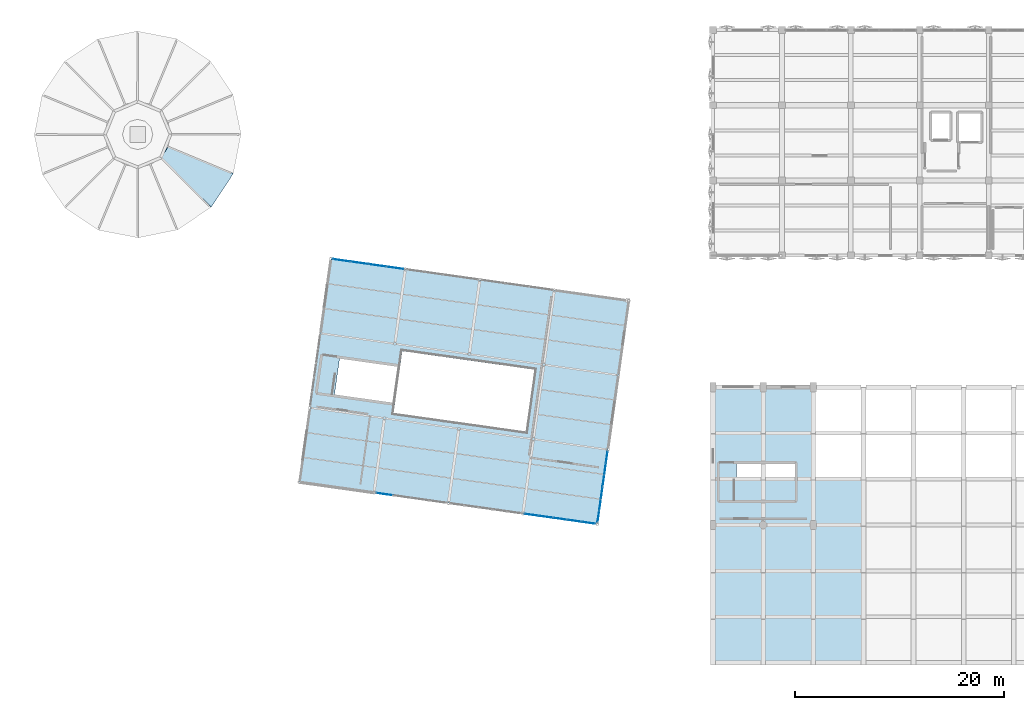
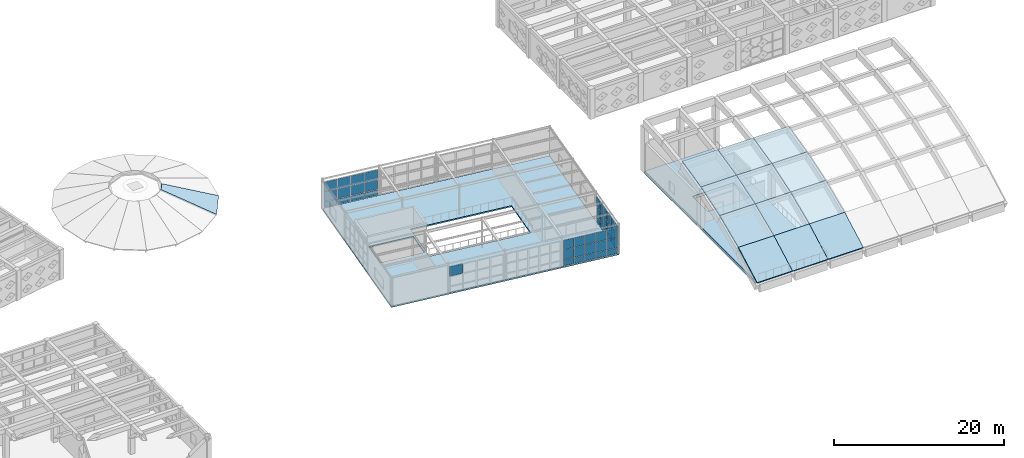
# One storey, part 45 of 67: 46 plates, 15 slabs, 4 elements without a shape of their own.
"""IFC4 building model written with IfcOpenShell, lengths in metres."""

from ifc_helpers import new_model, si_unit, direction, frame, origin, origin_2d, place, context, subcontext, project, spatial, polyline, rectangle, outline, extrude, material, layer, layer_set, type_object, element, aggregate, save


model = new_model("IFC4")

# Units and contexts
model_context = context("Model", 3, precision=1e-05, world=origin(), true_north=direction((0.0, 1.0)))
body_context = subcontext(model_context, "Body", "Model", "MODEL_VIEW")
ifc_project = project(units=[si_unit("LENGTHUNIT", "METRE"), si_unit("AREAUNIT", "SQUARE_METRE"), si_unit("VOLUMEUNIT", "CUBIC_METRE"), si_unit("PLANEANGLEUNIT", "RADIAN"), si_unit("MASSUNIT", "GRAM", prefix="KILO")], contexts=[model_context])

# Site, building, storey
site_placement = place(None, origin())
site = spatial("IfcSite", under=ifc_project, at=site_placement, CompositionType="ELEMENT")
building_placement = place(site_placement, origin())
building = spatial("IfcBuilding", under=site, at=building_placement, Name="Kharisveld Research Institute", CompositionType="ELEMENT")
storey_placement = place(building_placement, frame((0.0, 0.0, 9.60009765625)))
storey = spatial("IfcBuildingStorey", under=building, at=storey_placement, Name="L02", CompositionType="ELEMENT", Elevation=9.60009765625)

# Curtain wall, plates
ifc_material_1 = material(Name="Thermally Broken Aluminium Curtain Wall", Category="aluminium")
ifc_layer_1 = layer(ifc_material_1, 0.159912109375)
ifc_layer_set_1 = layer_set([ifc_layer_1], Name="CW_SYS_04")
curtain_wall_type_1 = type_object("IfcCurtainWallType", Name="CW_SYS_04", PredefinedType="NOTDEFINED", material=ifc_layer_set_1)
curtain_wall_1_placement = place(storey_placement, origin())
curtain_wall_1 = element("IfcCurtainWall", 1, at=curtain_wall_1_placement, inside=storey, type_object=curtain_wall_type_1, Name="CW:V4:L02:N0", PredefinedType="NOTDEFINED")
ifc_material_2 = material(Name="Low-E Double Glazing", Category="glass")
ifc_layer_2 = layer(ifc_material_2, 0.028076171875)
ifc_layer_set_2 = layer_set([ifc_layer_2], Name="CW_PNL_GLZ")
plate_type = type_object("IfcPlateType", Name="CW_PNL_GLZ", PredefinedType="CURTAIN_PANEL", material=ifc_layer_set_2)
plate_1_placement = place(storey_placement, frame((79.012451171875, 38.748291015625, 0.06494140625), z_axis=(0.0, 0.0, 1.0), x_axis=(0.990268065931, -0.139173120957, 0.0)))
plate_1 = element("IfcPlate", 2, at=plate_1_placement, type_object=plate_type, Name="CW-04 panel 1.1", PredefinedType="CURTAIN_PANEL", context=body_context, shape_type="SweptSolid", body=[
    extrude(rectangle(XDim=1.629150390625, YDim=0.028076171875, at=origin_2d()), origin(), (0.0, 0.0, 1.0), 0.802490234375),
])
plate_2_placement = place(storey_placement, frame((79.012451171875, 38.748291015625, 0.9326171875), z_axis=(0.0, 0.0, 1.0), x_axis=(0.990268065931, -0.139173120957, 0.0)))
plate_2 = element("IfcPlate", 3, at=plate_2_placement, type_object=plate_type, Name="CW-04 panel 1.2", PredefinedType="CURTAIN_PANEL", context=body_context, shape_type="SweptSolid", body=[
    extrude(rectangle(XDim=1.629150390625, YDim=0.028076171875, at=origin_2d()), origin(), (0.0, 0.0, 1.0), 1.385009765625),
])
plate_3_placement = place(storey_placement, frame((79.012451171875, 38.748291015625, 2.38232421875), z_axis=(0.0, 0.0, 1.0), x_axis=(0.990268065931, -0.139173120957, 0.0)))
plate_3 = element("IfcPlate", 4, at=plate_3_placement, type_object=plate_type, Name="CW-04 panel 1.3", PredefinedType="CURTAIN_PANEL", context=body_context, shape_type="SweptSolid", body=[
    extrude(rectangle(XDim=1.629150390625, YDim=0.028076171875, at=origin_2d()), origin(), (0.0, 0.0, 1.0), 1.33251953125),
])
plate_4_placement = place(storey_placement, frame((80.71240234375, 38.509521484375, 0.06494140625), z_axis=(0.0, 0.0, 1.0), x_axis=(0.990268065931, -0.139173120957, 0.0)))
plate_4 = element("IfcPlate", 5, at=plate_4_placement, type_object=plate_type, Name="CW-04 panel 2.1", PredefinedType="CURTAIN_PANEL", context=body_context, shape_type="SweptSolid", body=[
    extrude(rectangle(XDim=1.664306640625, YDim=0.028076171875, at=origin_2d()), origin(), (0.0, 0.0, 1.0), 0.802490234375),
])
plate_5_placement = place(storey_placement, frame((80.71240234375, 38.509521484375, 0.9326171875), z_axis=(0.0, 0.0, 1.0), x_axis=(0.990268065931, -0.139173120957, 0.0)))
plate_5 = element("IfcPlate", 6, at=plate_5_placement, type_object=plate_type, Name="CW-04 panel 2.2", PredefinedType="CURTAIN_PANEL", context=body_context, shape_type="SweptSolid", body=[
    extrude(rectangle(XDim=1.664306640625, YDim=0.028076171875, at=origin_2d()), origin(), (0.0, 0.0, 1.0), 1.385009765625),
])
plate_6_placement = place(storey_placement, frame((80.71240234375, 38.509521484375, 2.38232421875), z_axis=(0.0, 0.0, 1.0), x_axis=(0.990268065931, -0.139173120957, 0.0)))
plate_6 = element("IfcPlate", 7, at=plate_6_placement, type_object=plate_type, Name="CW-04 panel 2.3", PredefinedType="CURTAIN_PANEL", context=body_context, shape_type="SweptSolid", body=[
    extrude(rectangle(XDim=1.664306640625, YDim=0.028076171875, at=origin_2d()), origin(), (0.0, 0.0, 1.0), 1.33251953125),
])
plate_7_placement = place(storey_placement, frame((82.4296875, 38.26806640625, 0.06494140625), z_axis=(0.0, 0.0, 1.0), x_axis=(0.990268065931, -0.139173120957, 0.0)))
plate_7 = element("IfcPlate", 8, at=plate_7_placement, type_object=plate_type, Name="CW-04 panel 3.1", PredefinedType="CURTAIN_PANEL", context=body_context, shape_type="SweptSolid", body=[
    extrude(rectangle(XDim=1.664306640625, YDim=0.028076171875, at=origin_2d()), origin(), (0.0, 0.0, 1.0), 0.802490234375),
])
plate_8_placement = place(storey_placement, frame((82.4296875, 38.26806640625, 0.9326171875), z_axis=(0.0, 0.0, 1.0), x_axis=(0.990268065931, -0.139173120957, 0.0)))
plate_8 = element("IfcPlate", 9, at=plate_8_placement, type_object=plate_type, Name="CW-04 panel 3.2", PredefinedType="CURTAIN_PANEL", context=body_context, shape_type="SweptSolid", body=[
    extrude(rectangle(XDim=1.664306640625, YDim=0.028076171875, at=origin_2d()), origin(), (0.0, 0.0, 1.0), 1.385009765625),
])
plate_9_placement = place(storey_placement, frame((82.4296875, 38.26806640625, 2.38232421875), z_axis=(0.0, 0.0, 1.0), x_axis=(0.990268065931, -0.139173120957, 0.0)))
plate_9 = element("IfcPlate", 10, at=plate_9_placement, type_object=plate_type, Name="CW-04 panel 3.3", PredefinedType="CURTAIN_PANEL", context=body_context, shape_type="SweptSolid", body=[
    extrude(rectangle(XDim=1.664306640625, YDim=0.028076171875, at=origin_2d()), origin(), (0.0, 0.0, 1.0), 1.33251953125),
])
plate_10_placement = place(storey_placement, frame((84.1298828125, 38.029052734375, 0.06494140625), z_axis=(0.0, 0.0, 1.0), x_axis=(0.990268065931, -0.139173120957, 0.0)))
plate_10 = element("IfcPlate", 11, at=plate_10_placement, type_object=plate_type, Name="CW-04 panel 4.1", PredefinedType="CURTAIN_PANEL", context=body_context, shape_type="SweptSolid", body=[
    extrude(rectangle(XDim=1.629150390625, YDim=0.028076171875, at=origin_2d()), origin(), (0.0, 0.0, 1.0), 0.802490234375),
])
plate_11_placement = place(storey_placement, frame((84.1298828125, 38.029052734375, 0.9326171875), z_axis=(0.0, 0.0, 1.0), x_axis=(0.990268065931, -0.139173120957, 0.0)))
plate_11 = element("IfcPlate", 12, at=plate_11_placement, type_object=plate_type, Name="CW-04 panel 4.2", PredefinedType="CURTAIN_PANEL", context=body_context, shape_type="SweptSolid", body=[
    extrude(rectangle(XDim=1.629150390625, YDim=0.028076171875, at=origin_2d()), origin(), (0.0, 0.0, 1.0), 1.385009765625),
])
plate_12_placement = place(storey_placement, frame((84.1298828125, 38.029052734375, 2.38232421875), z_axis=(0.0, 0.0, 1.0), x_axis=(0.990268065931, -0.139173120957, 0.0)))
plate_12 = element("IfcPlate", 13, at=plate_12_placement, type_object=plate_type, Name="CW-04 panel 4.3", PredefinedType="CURTAIN_PANEL", context=body_context, shape_type="SweptSolid", body=[
    extrude(rectangle(XDim=1.629150390625, YDim=0.028076171875, at=origin_2d()), origin(), (0.0, 0.0, 1.0), 1.33251953125),
])
aggregate(curtain_wall_1, [plate_1, plate_2, plate_3, plate_4, plate_5, plate_6, plate_7, plate_8, plate_9, plate_10, plate_11, plate_12])

ifc_material_3 = material(Name="Thermally Broken Aluminium Curtain Wall", Category="aluminium")
ifc_layer_3 = layer(ifc_material_3, 0.159912109375)
ifc_layer_set_3 = layer_set([ifc_layer_3], Name="CW_SYS_01")
curtain_wall_type_2 = type_object("IfcCurtainWallType", Name="CW_SYS_01", PredefinedType="NOTDEFINED", material=ifc_layer_set_3)
curtain_wall_2_placement = place(storey_placement, origin())
curtain_wall_2 = element("IfcCurtainWall", 14, at=curtain_wall_2_placement, inside=storey, type_object=curtain_wall_type_2, Name="CW:V4:L02:E1", PredefinedType="NOTDEFINED")
plate_13_placement = place(storey_placement, frame((104.420654296875, 19.90185546875, 0.06494140625), z_axis=(0.0, 0.0, 1.0), x_axis=(-0.139173262318, -0.990268046064, 0.0)))
plate_13 = element("IfcPlate", 15, at=plate_13_placement, type_object=plate_type, Name="CW-01 panel 1.1", PredefinedType="CURTAIN_PANEL", context=body_context, shape_type="SweptSolid", body=[
    extrude(rectangle(XDim=1.05126953125, YDim=0.028076171875, at=origin_2d()), origin(), (0.0, 0.0, 1.0), 0.802490234375),
])
plate_14_placement = place(storey_placement, frame((104.420654296875, 19.90185546875, 0.9326171875), z_axis=(0.0, 0.0, 1.0), x_axis=(-0.139173262318, -0.990268046064, 0.0)))
plate_14 = element("IfcPlate", 16, at=plate_14_placement, type_object=plate_type, Name="CW-01 panel 1.2", PredefinedType="CURTAIN_PANEL", context=body_context, shape_type="SweptSolid", body=[
    extrude(rectangle(XDim=1.05126953125, YDim=0.028076171875, at=origin_2d()), origin(), (0.0, 0.0, 1.0), 1.385009765625),
])
plate_15_placement = place(storey_placement, frame((104.420654296875, 19.90185546875, 2.38232421875), z_axis=(0.0, 0.0, 1.0), x_axis=(-0.139173262318, -0.990268046064, 0.0)))
plate_15 = element("IfcPlate", 17, at=plate_15_placement, type_object=plate_type, Name="CW-01 panel 1.3", PredefinedType="CURTAIN_PANEL", context=body_context, shape_type="SweptSolid", body=[
    extrude(rectangle(XDim=1.05126953125, YDim=0.028076171875, at=origin_2d()), origin(), (0.0, 0.0, 1.0), 1.33251953125),
])
plate_16_placement = place(storey_placement, frame((104.26220703125, 18.774169921875, 0.06494140625), z_axis=(0.0, 0.0, 1.0), x_axis=(-0.139173262318, -0.990268046064, 0.0)))
plate_16 = element("IfcPlate", 18, at=plate_16_placement, type_object=plate_type, Name="CW-01 panel 2.1", PredefinedType="CURTAIN_PANEL", context=body_context, shape_type="SweptSolid", body=[
    extrude(rectangle(XDim=1.086181640625, YDim=0.028076171875, at=origin_2d()), origin(), (0.0, 0.0, 1.0), 0.802490234375),
])
plate_17_placement = place(storey_placement, frame((104.26220703125, 18.774169921875, 0.9326171875), z_axis=(0.0, 0.0, 1.0), x_axis=(-0.139173262318, -0.990268046064, 0.0)))
plate_17 = element("IfcPlate", 19, at=plate_17_placement, type_object=plate_type, Name="CW-01 panel 2.2", PredefinedType="CURTAIN_PANEL", context=body_context, shape_type="SweptSolid", body=[
    extrude(rectangle(XDim=1.086181640625, YDim=0.028076171875, at=origin_2d()), origin(), (0.0, 0.0, 1.0), 1.385009765625),
])
plate_18_placement = place(storey_placement, frame((104.26220703125, 18.774169921875, 2.38232421875), z_axis=(0.0, 0.0, 1.0), x_axis=(-0.139173262318, -0.990268046064, 0.0)))
plate_18 = element("IfcPlate", 20, at=plate_18_placement, type_object=plate_type, Name="CW-01 panel 2.3", PredefinedType="CURTAIN_PANEL", context=body_context, shape_type="SweptSolid", body=[
    extrude(rectangle(XDim=1.086181640625, YDim=0.028076171875, at=origin_2d()), origin(), (0.0, 0.0, 1.0), 1.33251953125),
])
plate_19_placement = place(storey_placement, frame((104.101318359375, 17.629150390625, 0.06494140625), z_axis=(0.0, 0.0, 1.0), x_axis=(-0.139173262318, -0.990268046064, 0.0)))
plate_19 = element("IfcPlate", 21, at=plate_19_placement, type_object=plate_type, Name="CW-01 panel 3.1", PredefinedType="CURTAIN_PANEL", context=body_context, shape_type="SweptSolid", body=[
    extrude(rectangle(XDim=1.086181640625, YDim=0.028076171875, at=origin_2d()), origin(), (0.0, 0.0, 1.0), 0.802490234375),
])
plate_20_placement = place(storey_placement, frame((104.101318359375, 17.629150390625, 0.9326171875), z_axis=(0.0, 0.0, 1.0), x_axis=(-0.139173262318, -0.990268046064, 0.0)))
plate_20 = element("IfcPlate", 22, at=plate_20_placement, type_object=plate_type, Name="CW-01 panel 3.2", PredefinedType="CURTAIN_PANEL", context=body_context, shape_type="SweptSolid", body=[
    extrude(rectangle(XDim=1.086181640625, YDim=0.028076171875, at=origin_2d()), origin(), (0.0, 0.0, 1.0), 1.385009765625),
])
plate_21_placement = place(storey_placement, frame((104.101318359375, 17.629150390625, 2.38232421875), z_axis=(0.0, 0.0, 1.0), x_axis=(-0.139173262318, -0.990268046064, 0.0)))
plate_21 = element("IfcPlate", 23, at=plate_21_placement, type_object=plate_type, Name="CW-01 panel 3.3", PredefinedType="CURTAIN_PANEL", context=body_context, shape_type="SweptSolid", body=[
    extrude(rectangle(XDim=1.086181640625, YDim=0.028076171875, at=origin_2d()), origin(), (0.0, 0.0, 1.0), 1.33251953125),
])
plate_22_placement = place(storey_placement, frame((103.940185546875, 16.484375, 0.06494140625), z_axis=(0.0, 0.0, 1.0), x_axis=(-0.139173262318, -0.990268046064, 0.0)))
plate_22 = element("IfcPlate", 24, at=plate_22_placement, type_object=plate_type, Name="CW-01 panel 4.1", PredefinedType="CURTAIN_PANEL", context=body_context, shape_type="SweptSolid", body=[
    extrude(rectangle(XDim=1.086181640625, YDim=0.028076171875, at=origin_2d()), origin(), (0.0, 0.0, 1.0), 0.802490234375),
])
plate_23_placement = place(storey_placement, frame((103.940185546875, 16.484375, 0.9326171875), z_axis=(0.0, 0.0, 1.0), x_axis=(-0.139173262318, -0.990268046064, 0.0)))
plate_23 = element("IfcPlate", 25, at=plate_23_placement, type_object=plate_type, Name="CW-01 panel 4.2", PredefinedType="CURTAIN_PANEL", context=body_context, shape_type="SweptSolid", body=[
    extrude(rectangle(XDim=1.086181640625, YDim=0.028076171875, at=origin_2d()), origin(), (0.0, 0.0, 1.0), 1.385009765625),
])
plate_24_placement = place(storey_placement, frame((103.940185546875, 16.484375, 2.38232421875), z_axis=(0.0, 0.0, 1.0), x_axis=(-0.139173262318, -0.990268046064, 0.0)))
plate_24 = element("IfcPlate", 26, at=plate_24_placement, type_object=plate_type, Name="CW-01 panel 4.3", PredefinedType="CURTAIN_PANEL", context=body_context, shape_type="SweptSolid", body=[
    extrude(rectangle(XDim=1.086181640625, YDim=0.028076171875, at=origin_2d()), origin(), (0.0, 0.0, 1.0), 1.33251953125),
])
plate_25_placement = place(storey_placement, frame((103.779296875, 15.33935546875, 0.06494140625), z_axis=(0.0, 0.0, 1.0), x_axis=(-0.139173262318, -0.990268046064, 0.0)))
plate_25 = element("IfcPlate", 27, at=plate_25_placement, type_object=plate_type, Name="CW-01 panel 5.1", PredefinedType="CURTAIN_PANEL", context=body_context, shape_type="SweptSolid", body=[
    extrude(rectangle(XDim=1.086181640625, YDim=0.028076171875, at=origin_2d()), origin(), (0.0, 0.0, 1.0), 0.802490234375),
])
plate_26_placement = place(storey_placement, frame((103.779296875, 15.33935546875, 0.9326171875), z_axis=(0.0, 0.0, 1.0), x_axis=(-0.139173262318, -0.990268046064, 0.0)))
plate_26 = element("IfcPlate", 28, at=plate_26_placement, type_object=plate_type, Name="CW-01 panel 5.2", PredefinedType="CURTAIN_PANEL", context=body_context, shape_type="SweptSolid", body=[
    extrude(rectangle(XDim=1.086181640625, YDim=0.028076171875, at=origin_2d()), origin(), (0.0, 0.0, 1.0), 1.385009765625),
])
plate_27_placement = place(storey_placement, frame((103.779296875, 15.33935546875, 2.38232421875), z_axis=(0.0, 0.0, 1.0), x_axis=(-0.139173262318, -0.990268046064, 0.0)))
plate_27 = element("IfcPlate", 29, at=plate_27_placement, type_object=plate_type, Name="CW-01 panel 5.3", PredefinedType="CURTAIN_PANEL", context=body_context, shape_type="SweptSolid", body=[
    extrude(rectangle(XDim=1.086181640625, YDim=0.028076171875, at=origin_2d()), origin(), (0.0, 0.0, 1.0), 1.33251953125),
])
plate_28_placement = place(storey_placement, frame((103.620849609375, 14.2119140625, 0.06494140625), z_axis=(0.0, 0.0, 1.0), x_axis=(-0.139173262318, -0.990268046064, 0.0)))
plate_28 = element("IfcPlate", 30, at=plate_28_placement, type_object=plate_type, Name="CW-01 panel 6.1", PredefinedType="CURTAIN_PANEL", context=body_context, shape_type="SweptSolid", body=[
    extrude(rectangle(XDim=1.05126953125, YDim=0.028076171875, at=origin_2d()), origin(), (0.0, 0.0, 1.0), 0.802490234375),
])
plate_29_placement = place(storey_placement, frame((103.620849609375, 14.2119140625, 0.9326171875), z_axis=(0.0, 0.0, 1.0), x_axis=(-0.139173262318, -0.990268046064, 0.0)))
plate_29 = element("IfcPlate", 31, at=plate_29_placement, type_object=plate_type, Name="CW-01 panel 6.2", PredefinedType="CURTAIN_PANEL", context=body_context, shape_type="SweptSolid", body=[
    extrude(rectangle(XDim=1.05126953125, YDim=0.028076171875, at=origin_2d()), origin(), (0.0, 0.0, 1.0), 1.385009765625),
])
plate_30_placement = place(storey_placement, frame((103.620849609375, 14.2119140625, 2.38232421875), z_axis=(0.0, 0.0, 1.0), x_axis=(-0.139173262318, -0.990268046064, 0.0)))
plate_30 = element("IfcPlate", 32, at=plate_30_placement, type_object=plate_type, Name="CW-01 panel 6.3", PredefinedType="CURTAIN_PANEL", context=body_context, shape_type="SweptSolid", body=[
    extrude(rectangle(XDim=1.05126953125, YDim=0.028076171875, at=origin_2d()), origin(), (0.0, 0.0, 1.0), 1.33251953125),
])
aggregate(curtain_wall_2, [plate_13, plate_14, plate_15, plate_16, plate_17, plate_18, plate_19, plate_20, plate_21, plate_22, plate_23, plate_24, plate_25, plate_26, plate_27, plate_28, plate_29, plate_30])

ifc_material_4 = material(Name="Thermally Broken Aluminium Curtain Wall", Category="aluminium")
ifc_layer_4 = layer(ifc_material_4, 0.159912109375)
ifc_layer_set_4 = layer_set([ifc_layer_4], Name="CW_SYS_02")
curtain_wall_type_3 = type_object("IfcCurtainWallType", Name="CW_SYS_02", PredefinedType="NOTDEFINED", material=ifc_layer_set_4)
curtain_wall_3_placement = place(storey_placement, origin())
curtain_wall_3 = element("IfcCurtainWall", 33, at=curtain_wall_3_placement, inside=storey, type_object=curtain_wall_type_3, Name="CW:V4:L02:S4", PredefinedType="NOTDEFINED")
plate_31_placement = place(storey_placement, frame((102.685302734375, 13.609130859375, 0.06494140625), z_axis=(0.0, 0.0, 1.0), x_axis=(-0.990268065931, 0.139173120957, 0.0)))
plate_31 = element("IfcPlate", 34, at=plate_31_placement, type_object=plate_type, Name="CW-02 panel 1.1", PredefinedType="CURTAIN_PANEL", context=body_context, shape_type="SweptSolid", body=[
    extrude(rectangle(XDim=1.282470703125, YDim=0.028076171875, at=origin_2d()), origin(), (0.0, 0.0, 1.0), 0.802490234375),
])
plate_32_placement = place(storey_placement, frame((102.685302734375, 13.609130859375, 0.9326171875), z_axis=(0.0, 0.0, 1.0), x_axis=(-0.990268065931, 0.139173120957, 0.0)))
plate_32 = element("IfcPlate", 35, at=plate_32_placement, type_object=plate_type, Name="CW-02 panel 1.2", PredefinedType="CURTAIN_PANEL", context=body_context, shape_type="SweptSolid", body=[
    extrude(rectangle(XDim=1.282470703125, YDim=0.028076171875, at=origin_2d()), origin(), (0.0, 0.0, 1.0), 1.385009765625),
])
plate_33_placement = place(storey_placement, frame((102.685302734375, 13.609130859375, 2.38232421875), z_axis=(0.0, 0.0, 1.0), x_axis=(-0.990268065931, 0.139173120957, 0.0)))
plate_33 = element("IfcPlate", 36, at=plate_33_placement, type_object=plate_type, Name="CW-02 panel 1.3", PredefinedType="CURTAIN_PANEL", context=body_context, shape_type="SweptSolid", body=[
    extrude(rectangle(XDim=1.282470703125, YDim=0.028076171875, at=origin_2d()), origin(), (0.0, 0.0, 1.0), 1.33251953125),
])
plate_34_placement = place(storey_placement, frame((101.32861328125, 13.7998046875, 0.06494140625), z_axis=(0.0, 0.0, 1.0), x_axis=(-0.990268065931, 0.139173120957, 0.0)))
plate_34 = element("IfcPlate", 37, at=plate_34_placement, type_object=plate_type, Name="CW-02 panel 2.1", PredefinedType="CURTAIN_PANEL", context=body_context, shape_type="SweptSolid", body=[
    extrude(rectangle(XDim=1.3173828125, YDim=0.028076171875, at=origin_2d()), origin(), (0.0, 0.0, 1.0), 0.802490234375),
])
plate_35_placement = place(storey_placement, frame((101.32861328125, 13.7998046875, 0.9326171875), z_axis=(0.0, 0.0, 1.0), x_axis=(-0.990268065931, 0.139173120957, 0.0)))
plate_35 = element("IfcPlate", 38, at=plate_35_placement, type_object=plate_type, Name="CW-02 panel 2.2", PredefinedType="CURTAIN_PANEL", context=body_context, shape_type="SweptSolid", body=[
    extrude(rectangle(XDim=1.3173828125, YDim=0.028076171875, at=origin_2d()), origin(), (0.0, 0.0, 1.0), 1.385009765625),
])
plate_36_placement = place(storey_placement, frame((101.32861328125, 13.7998046875, 2.38232421875), z_axis=(0.0, 0.0, 1.0), x_axis=(-0.990268065931, 0.139173120957, 0.0)))
plate_36 = element("IfcPlate", 39, at=plate_36_placement, type_object=plate_type, Name="CW-02 panel 2.3", PredefinedType="CURTAIN_PANEL", context=body_context, shape_type="SweptSolid", body=[
    extrude(rectangle(XDim=1.3173828125, YDim=0.028076171875, at=origin_2d()), origin(), (0.0, 0.0, 1.0), 1.33251953125),
])
plate_37_placement = place(storey_placement, frame((99.954833984375, 13.992919921875, 0.06494140625), z_axis=(0.0, 0.0, 1.0), x_axis=(-0.990268065931, 0.139173120957, 0.0)))
plate_37 = element("IfcPlate", 40, at=plate_37_placement, type_object=plate_type, Name="CW-02 panel 3.1", PredefinedType="CURTAIN_PANEL", context=body_context, shape_type="SweptSolid", body=[
    extrude(rectangle(XDim=1.3173828125, YDim=0.028076171875, at=origin_2d()), origin(), (0.0, 0.0, 1.0), 0.802490234375),
])
plate_38_placement = place(storey_placement, frame((99.954833984375, 13.992919921875, 0.9326171875), z_axis=(0.0, 0.0, 1.0), x_axis=(-0.990268065931, 0.139173120957, 0.0)))
plate_38 = element("IfcPlate", 41, at=plate_38_placement, type_object=plate_type, Name="CW-02 panel 3.2", PredefinedType="CURTAIN_PANEL", context=body_context, shape_type="SweptSolid", body=[
    extrude(rectangle(XDim=1.3173828125, YDim=0.028076171875, at=origin_2d()), origin(), (0.0, 0.0, 1.0), 1.385009765625),
])
plate_39_placement = place(storey_placement, frame((99.954833984375, 13.992919921875, 2.38232421875), z_axis=(0.0, 0.0, 1.0), x_axis=(-0.990268065931, 0.139173120957, 0.0)))
plate_39 = element("IfcPlate", 42, at=plate_39_placement, type_object=plate_type, Name="CW-02 panel 3.3", PredefinedType="CURTAIN_PANEL", context=body_context, shape_type="SweptSolid", body=[
    extrude(rectangle(XDim=1.3173828125, YDim=0.028076171875, at=origin_2d()), origin(), (0.0, 0.0, 1.0), 1.33251953125),
])
plate_40_placement = place(storey_placement, frame((98.580810546875, 14.18603515625, 0.06494140625), z_axis=(0.0, 0.0, 1.0), x_axis=(-0.990268065931, 0.139173120957, 0.0)))
plate_40 = element("IfcPlate", 43, at=plate_40_placement, type_object=plate_type, Name="CW-02 panel 4.1", PredefinedType="CURTAIN_PANEL", context=body_context, shape_type="SweptSolid", body=[
    extrude(rectangle(XDim=1.3173828125, YDim=0.028076171875, at=origin_2d()), origin(), (0.0, 0.0, 1.0), 0.802490234375),
])
plate_41_placement = place(storey_placement, frame((98.580810546875, 14.18603515625, 0.9326171875), z_axis=(0.0, 0.0, 1.0), x_axis=(-0.990268065931, 0.139173120957, 0.0)))
plate_41 = element("IfcPlate", 44, at=plate_41_placement, type_object=plate_type, Name="CW-02 panel 4.2", PredefinedType="CURTAIN_PANEL", context=body_context, shape_type="SweptSolid", body=[
    extrude(rectangle(XDim=1.3173828125, YDim=0.028076171875, at=origin_2d()), origin(), (0.0, 0.0, 1.0), 1.385009765625),
])
plate_42_placement = place(storey_placement, frame((98.580810546875, 14.18603515625, 2.38232421875), z_axis=(0.0, 0.0, 1.0), x_axis=(-0.990268065931, 0.139173120957, 0.0)))
plate_42 = element("IfcPlate", 45, at=plate_42_placement, type_object=plate_type, Name="CW-02 panel 4.3", PredefinedType="CURTAIN_PANEL", context=body_context, shape_type="SweptSolid", body=[
    extrude(rectangle(XDim=1.3173828125, YDim=0.028076171875, at=origin_2d()), origin(), (0.0, 0.0, 1.0), 1.33251953125),
])
plate_43_placement = place(storey_placement, frame((97.224365234375, 14.37646484375, 0.06494140625), z_axis=(0.0, 0.0, 1.0), x_axis=(-0.990268065931, 0.139173120957, 0.0)))
plate_43 = element("IfcPlate", 46, at=plate_43_placement, type_object=plate_type, Name="CW-02 panel 5.1", PredefinedType="CURTAIN_PANEL", context=body_context, shape_type="SweptSolid", body=[
    extrude(rectangle(XDim=1.282470703125, YDim=0.028076171875, at=origin_2d()), origin(), (0.0, 0.0, 1.0), 0.802490234375),
])
plate_44_placement = place(storey_placement, frame((97.224365234375, 14.37646484375, 0.9326171875), z_axis=(0.0, 0.0, 1.0), x_axis=(-0.990268065931, 0.139173120957, 0.0)))
plate_44 = element("IfcPlate", 47, at=plate_44_placement, type_object=plate_type, Name="CW-02 panel 5.2", PredefinedType="CURTAIN_PANEL", context=body_context, shape_type="SweptSolid", body=[
    extrude(rectangle(XDim=1.282470703125, YDim=0.028076171875, at=origin_2d()), origin(), (0.0, 0.0, 1.0), 1.385009765625),
])
plate_45_placement = place(storey_placement, frame((97.224365234375, 14.37646484375, 2.38232421875), z_axis=(0.0, 0.0, 1.0), x_axis=(-0.990268065931, 0.139173120957, 0.0)))
plate_45 = element("IfcPlate", 48, at=plate_45_placement, type_object=plate_type, Name="CW-02 panel 5.3", PredefinedType="CURTAIN_PANEL", context=body_context, shape_type="SweptSolid", body=[
    extrude(rectangle(XDim=1.282470703125, YDim=0.028076171875, at=origin_2d()), origin(), (0.0, 0.0, 1.0), 1.33251953125),
])
aggregate(curtain_wall_3, [plate_31, plate_32, plate_33, plate_34, plate_35, plate_36, plate_37, plate_38, plate_39, plate_40, plate_41, plate_42, plate_43, plate_44, plate_45])

# Curtain wall, plate
curtain_wall_4_placement = place(storey_placement, origin())
curtain_wall_4 = element("IfcCurtainWall", 49, at=curtain_wall_4_placement, inside=storey, type_object=curtain_wall_type_1, Name="CW:V4:L02:S2", PredefinedType="NOTDEFINED")
plate_46_placement = place(storey_placement, frame((83.13623046875, 16.3564453125, 2.38232421875), z_axis=(0.0, 0.0, 1.0), x_axis=(-0.990268046064, 0.139173262318, 0.0)))
plate_46 = element("IfcPlate", 50, at=plate_46_placement, type_object=plate_type, Name="CW-04 panel 4.3", PredefinedType="CURTAIN_PANEL", context=body_context, shape_type="SweptSolid", body=[
    extrude(rectangle(XDim=1.629150390625, YDim=0.028076171875, at=origin_2d()), origin(), (0.0, 0.0, 1.0), 1.33251953125),
])
aggregate(curtain_wall_4, [plate_46])

# Slabs
ifc_material_5 = material(Name="Concrete C40/50", Category="concrete")
ifc_layer_5 = layer(ifc_material_5, 0.18994140625)
ifc_layer_set_5 = layer_set([ifc_layer_5], Name="SL_FLR_190")
slab_type_1 = type_object("IfcSlabType", Name="SL_FLR_190", PredefinedType="FLOOR", material=ifc_layer_set_5)
slab_1_placement = place(storey_placement, frame((0.0, 0.0, -0.190185546875)))
element("IfcSlab", 51, at=slab_1_placement, inside=storey, type_object=slab_type_1, Name="SLAB:V4:L02:MAIN", PredefinedType="FLOOR", context=body_context, shape_type="SweptSolid", body=[
    extrude(outline(polyline([(75.0, 17.5), (103.519775390625, 13.49169921875), (106.52587890625, 34.881591796875), (78.006103515625, 38.889892578125), (75.0, 17.5)]), holes=[polyline([(97.51806640625, 28.27099609375), (96.68310546875, 22.329345703125), (84.0078125, 24.110595703125), (84.8427734375, 30.05224609375), (97.51806640625, 28.27099609375)]), polyline([(84.385009765625, 28.591796875), (83.892333984375, 25.086181640625), (78.346923828125, 25.86572265625), (78.839599609375, 29.37109375), (84.385009765625, 28.591796875)])]), origin(), (0.0, 0.0, 1.0), 0.190185546875),
])
ifc_material_6 = material(Name="Concrete C40/50", Category="concrete")
ifc_layer_6 = layer(ifc_material_6, 0.419921875)
ifc_layer_set_6 = layer_set([ifc_layer_6], Name="SL_FLR_420")
slab_type_2 = type_object("IfcSlabType", Name="SL_FLR_420", PredefinedType="FLOOR", material=ifc_layer_set_6)
slab_2_placement = place(storey_placement, frame((0.0, 0.0, -0.420166015625)))
element("IfcSlab", 52, at=slab_2_placement, inside=storey, type_object=slab_type_2, Name="SLAB:V5:L02:MAIN", PredefinedType="FLOOR", context=body_context, shape_type="SweptSolid", body=[
    extrude(outline(polyline([(114.60009765625, 0.699951171875), (124.199951171875, 0.699951171875), (124.199951171875, 26.60009765625), (114.60009765625, 26.60009765625), (114.60009765625, 0.699951171875)]), holes=[polyline([(116.85009765625, 19.2900390625), (122.449951171875, 19.2900390625), (122.449951171875, 15.75), (116.85009765625, 15.75), (116.85009765625, 19.2900390625)])]), origin(), (0.0, 0.0, 1.0), 0.420166015625),
])
ifc_material_7 = material(Name="Concrete C40/50", Category="concrete")
ifc_layer_7 = layer(ifc_material_7, 0.175048828125)
ifc_layer_set_7 = layer_set([ifc_layer_7], Name="SL_ROOF_175")
slab_type_3 = type_object("IfcSlabType", Name="SL_ROOF_175", PredefinedType="ROOF", material=ifc_layer_set_7)
slab_3_placement = place(storey_placement, frame((66.54296875, 43.843017578125, 0.1298828125), z_axis=(0.281439200379, -0.185551338623, 0.941468362307), x_axis=(0.550510603989, 0.834828170198, -3.3755448e-05)))
element("IfcSlab", 53, at=slab_3_placement, inside=storey, type_object=slab_type_3, Name="SLAB:V6:L02:ROOF14", PredefinedType="ROOF", context=body_context, shape_type="SweptSolid", body=[
    extrude(outline(polyline([(0.0, 0.0), (3.8617559392093646, -4.440892098500626e-16), (2.5452233395776953, 7.031129028074772), (1.3164277678521148, 7.030619288660456), (0.0, 0.0)])), origin(), (0.0, 0.0, -1.0), 0.175048828125),
])
ifc_material_8 = material(Name="Concrete C40/50", Category="concrete")
ifc_layer_8 = layer(ifc_material_8, 0.1298828125)
ifc_layer_set_8 = layer_set([ifc_layer_8], Name="SL_SHL_130")
slab_type_4 = type_object("IfcSlabType", Name="SL_SHL_130", PredefinedType="ROOF", material=ifc_layer_set_8)
slab_4_placement = place(storey_placement, frame((114.60009765625, 9.0, 4.287353515625), z_axis=(0.0, -0.309460675517, 0.950912241118), x_axis=(1.0, 0.0, 0.0)))
element("IfcSlab", 54, at=slab_4_placement, inside=storey, type_object=slab_type_4, Name="SLAB:V5:L02:SHELL_B1_S3", PredefinedType="ROOF", context=body_context, shape_type="SweptSolid", body=[
    extrude(outline(polyline([(0.0, 0.0), (4.7998046875, 0.0), (4.7998046875, 4.627033025229635), (0.0, 4.627033025229635), (0.0, 0.0)])), origin(), (0.0, 0.0, -1.0), 0.1298828125),
])
slab_5_placement = place(storey_placement, frame((114.60009765625, 13.39990234375, 5.71923828125), z_axis=(0.0, -0.224697609831, 0.974428542345), x_axis=(1.0, 0.0, 0.0)))
element("IfcSlab", 55, at=slab_5_placement, inside=storey, type_object=slab_type_4, Name="SLAB:V5:L02:SHELL_B1_S4", PredefinedType="ROOF", context=body_context, shape_type="SweptSolid", body=[
    extrude(outline(polyline([(0.0, 0.0), (4.7998046875, 0.0), (4.7998046875, 4.51561740359819), (0.0, 4.51561740359819), (0.0, 0.0)])), origin(), (0.0, 0.0, -1.0), 0.1298828125),
])
slab_6_placement = place(storey_placement, frame((119.39990234375, 9.0, 4.287353515625), z_axis=(0.0, -0.309460675517, 0.950912241118), x_axis=(1.0, 0.0, 0.0)))
element("IfcSlab", 56, at=slab_6_placement, inside=storey, type_object=slab_type_4, Name="SLAB:V5:L02:SHELL_B2_S3", PredefinedType="ROOF", context=body_context, shape_type="SweptSolid", body=[
    extrude(outline(polyline([(0.0, 0.0), (4.800048828125, 0.0), (4.800048828125, 4.627033025229635), (0.0, 4.627033025229635), (0.0, 0.0)])), origin(), (0.0, 0.0, -1.0), 0.1298828125),
])
slab_7_placement = place(storey_placement, frame((119.39990234375, 13.39990234375, 5.71923828125), z_axis=(0.0, -0.224697609831, 0.974428542345), x_axis=(1.0, 0.0, 0.0)))
element("IfcSlab", 57, at=slab_7_placement, inside=storey, type_object=slab_type_4, Name="SLAB:V5:L02:SHELL_B2_S4", PredefinedType="ROOF", context=body_context, shape_type="SweptSolid", body=[
    extrude(outline(polyline([(0.0, 0.0), (4.800048828125, 0.0), (4.800048828125, 4.515617403598191), (0.0, 4.515617403598191), (0.0, 0.0)])), origin(), (0.0, 0.0, -1.0), 0.1298828125),
])
slab_8_placement = place(storey_placement, frame((124.199951171875, 9.0, 4.287353515625), z_axis=(0.0, -0.309460675517, 0.950912241118), x_axis=(1.0, 0.0, 0.0)))
element("IfcSlab", 58, at=slab_8_placement, inside=storey, type_object=slab_type_4, Name="SLAB:V5:L02:SHELL_B3_S3", PredefinedType="ROOF", context=body_context, shape_type="SweptSolid", body=[
    extrude(outline(polyline([(0.0, 0.0), (4.800048828125, 0.0), (4.800048828125, 4.627033025229635), (0.0, 4.627033025229635), (0.0, 0.0)])), origin(), (0.0, 0.0, -1.0), 0.1298828125),
])
slab_9_placement = place(storey_placement, frame((124.199951171875, 13.39990234375, 5.71923828125), z_axis=(0.0, -0.224697609831, 0.974428542345), x_axis=(1.0, 0.0, 0.0)))
element("IfcSlab", 59, at=slab_9_placement, inside=storey, type_object=slab_type_4, Name="SLAB:V5:L02:SHELL_B3_S4", PredefinedType="ROOF", context=body_context, shape_type="SweptSolid", body=[
    extrude(outline(polyline([(0.0, 0.0), (4.800048828125, 0.0), (4.800048828125, 4.515617403598191), (0.0, 4.515617403598191), (0.0, 0.0)])), origin(), (0.0, 0.0, -1.0), 0.1298828125),
])
ifc_material_9 = material(Name="Concrete C40/50", Category="concrete")
ifc_layer_9 = layer(ifc_material_9, 0.159912109375)
ifc_layer_set_9 = layer_set([ifc_layer_9], Name="SL_SHL_160")
slab_type_5 = type_object("IfcSlabType", Name="SL_SHL_160", PredefinedType="ROOF", material=ifc_layer_set_9)
slab_10_placement = place(storey_placement, frame((114.60009765625, 4.60009765625, 2.400390625), z_axis=(0.0, -0.394147009386, 0.919047406281), x_axis=(1.0, 0.0, 0.0)))
element("IfcSlab", 60, at=slab_10_placement, inside=storey, type_object=slab_type_5, Name="SLAB:V5:L02:SHELL_B1_S2", PredefinedType="ROOF", context=body_context, shape_type="SweptSolid", body=[
    extrude(outline(polyline([(0.0, 0.0), (4.7998046875, 0.0), (4.7998046875, 4.787459617075909), (0.0, 4.787459617075909), (0.0, 0.0)])), origin(), (0.0, 0.0, -1.0), 0.159912109375),
])
for number, where, z_axis, x_axis, name in (
    (61, (119.39990234375, 4.60009765625, 2.400390625), (0.0, -0.394147009386, 0.919047406281), (1.0, 0.0, 0.0), "SLAB:V5:L02:SHELL_B2_S2"),
    (62, (124.199951171875, 4.60009765625, 2.400390625), (0.0, -0.394147009386, 0.919047406281), (1.0, 0.0, 0.0), "SLAB:V5:L02:SHELL_B3_S2"),
):
    element("IfcSlab", number, at=place(storey_placement, frame(where, z_axis=z_axis, x_axis=x_axis)), inside=storey, type_object=slab_type_5, Name=name, PredefinedType="ROOF", context=body_context, shape_type="SweptSolid", body=[
        extrude(outline(polyline([(0.0, 0.0), (4.800048828125, 0.0), (4.800048828125, 4.787459617075908), (0.0, 4.787459617075908), (0.0, 0.0)])), origin(), (0.0, 0.0, -1.0), 0.159912109375),
    ])
ifc_material_10 = material(Name="Concrete C40/50", Category="concrete")
ifc_layer_10 = layer(ifc_material_10, 0.22998046875)
ifc_layer_set_10 = layer_set([ifc_layer_10], Name="SL_SHL_230")
slab_type_6 = type_object("IfcSlabType", Name="SL_SHL_230", PredefinedType="ROOF", material=ifc_layer_set_10)
slab_11_placement = place(storey_placement, frame((114.60009765625, 0.199951171875, 0.0), z_axis=(0.0, -0.47889990753, 0.877869511128), x_axis=(1.0, 0.0, 0.0)))
element("IfcSlab", 63, at=slab_11_placement, inside=storey, type_object=slab_type_6, Name="SLAB:V5:L02:SHELL_B1_S1", PredefinedType="ROOF", context=body_context, shape_type="SweptSolid", body=[
    extrude(outline(polyline([(0.0, 0.0), (4.7998046875, 0.0), (4.7998046875, 5.012301291477355), (0.0, 5.012301291477355), (0.0, 0.0)])), origin(), (0.0, 0.0, -1.0), 0.22998046875),
])
for number, where, z_axis, x_axis, name in (
    (64, (119.39990234375, 0.199951171875, 0.0), (0.0, -0.47889990753, 0.877869511128), (1.0, 0.0, 0.0), "SLAB:V5:L02:SHELL_B2_S1"),
    (65, (124.199951171875, 0.199951171875, 0.0), (0.0, -0.47889990753, 0.877869511128), (1.0, 0.0, 0.0), "SLAB:V5:L02:SHELL_B3_S1"),
):
    element("IfcSlab", number, at=place(storey_placement, frame(where, z_axis=z_axis, x_axis=x_axis)), inside=storey, type_object=slab_type_6, Name=name, PredefinedType="ROOF", context=body_context, shape_type="SweptSolid", body=[
        extrude(outline(polyline([(0.0, 0.0), (4.800048828125, 0.0), (4.800048828125, 5.012301291477355), (0.0, 5.012301291477355), (0.0, 0.0)])), origin(), (0.0, 0.0, -1.0), 0.22998046875),
    ])

save(model, "model.ifc")
